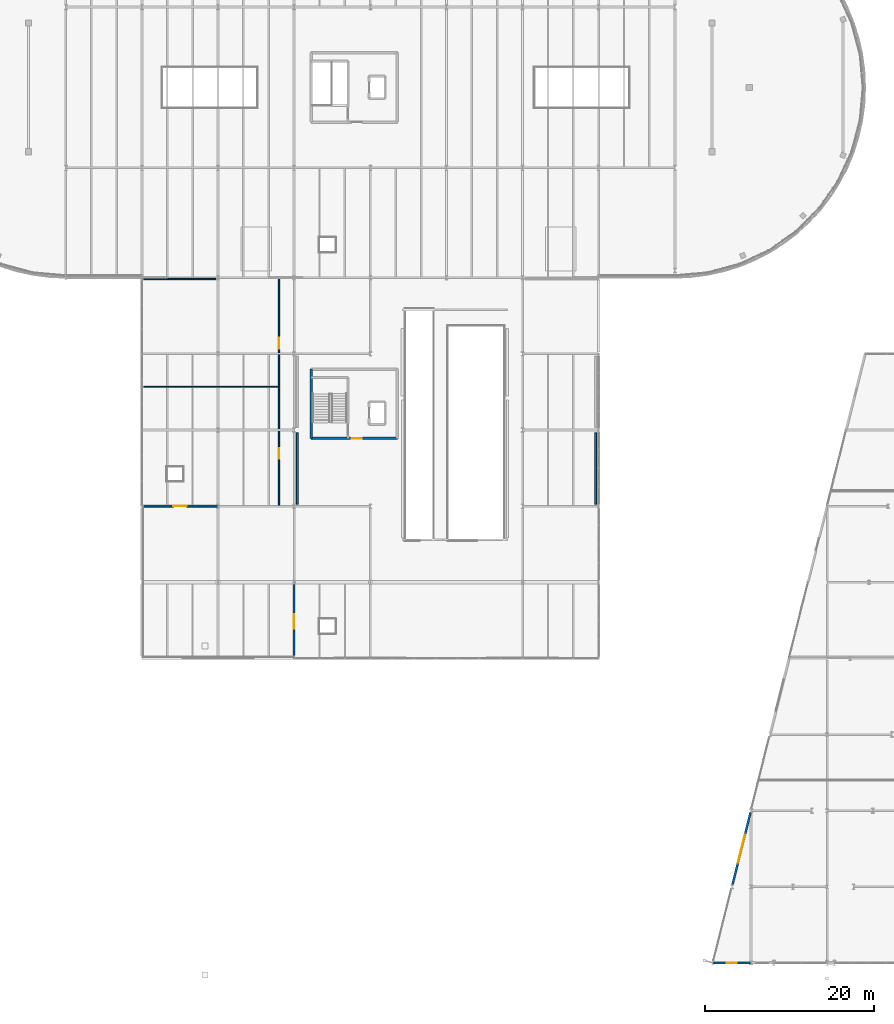
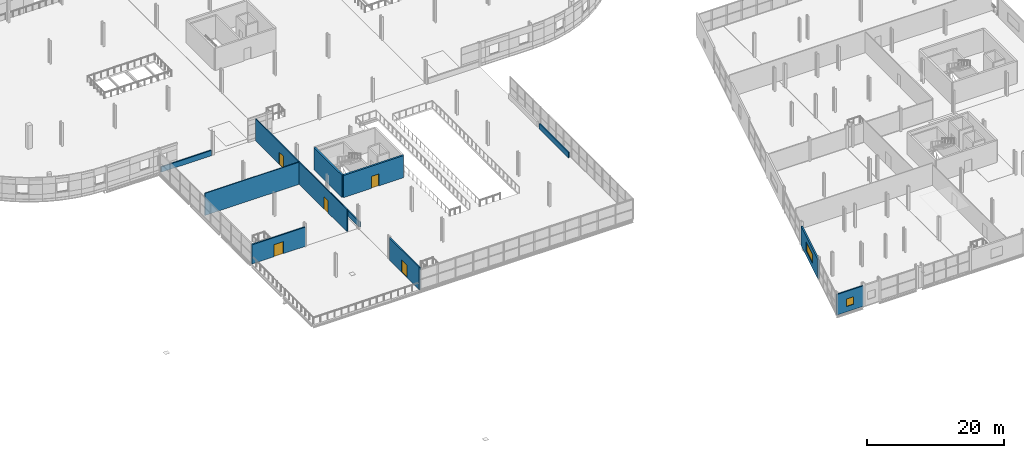
# One storey, part 71 of 88: 11 walls, 5 doors, 2 windows, 7 openings.
"""IFC4 building model written with IfcOpenShell, lengths in metres."""

from ifc_helpers import new_model, si_unit, direction, frame, frame_2d, origin, place, context, subcontext, project, spatial, rectangle, extrude, material, layer, layer_set, type_object, element, fill, save


model = new_model("IFC4")

# Units and contexts
model_context = context("Model", 3, precision=1e-05, world=origin(), true_north=direction((0.0, 1.0)))
body_context = subcontext(model_context, "Body", "Model", "MODEL_VIEW")
ifc_project = project(units=[si_unit("LENGTHUNIT", "METRE"), si_unit("AREAUNIT", "SQUARE_METRE"), si_unit("VOLUMEUNIT", "CUBIC_METRE"), si_unit("PLANEANGLEUNIT", "RADIAN"), si_unit("MASSUNIT", "GRAM", prefix="KILO")], contexts=[model_context])

# Site, building, storey
site_placement = place(None, origin())
site = spatial("IfcSite", under=ifc_project, at=site_placement, CompositionType="ELEMENT")
building_placement = place(site_placement, origin())
building = spatial("IfcBuilding", under=site, at=building_placement, Name="Deido Ridge Mobility Hub", CompositionType="ELEMENT")
storey_placement = place(building_placement, frame((0.0, 0.0, 16.800048828125)))
storey = spatial("IfcBuildingStorey", under=building, at=storey_placement, Name="L04", CompositionType="ELEMENT", Elevation=16.800048828125)

# Wall, opening, door
ifc_material_1 = material(Name="Powder-coated aluminium cladding EN AW-3003", Category="aluminium")
ifc_layer_1 = layer(ifc_material_1, 0.22509765625, Name="Powder-coated aluminium cladding EN AW-3003")
ifc_layer_set_1 = layer_set([ifc_layer_1], Name="Powder-coated aluminium cladding EN AW-3003")
wall_type_1 = type_object("IfcWallType", Name="WL-EXT-ALU-225", PredefinedType="STANDARD", material=ifc_layer_set_1)
wall_1_placement = place(storey_placement, frame((72.0, 36.0, 0.0), z_axis=(0.0, 0.0, 1.0), x_axis=(0.0, 1.0, 0.0)))
wall_1 = element("IfcWall", 1, at=wall_1_placement, inside=storey, type_object=wall_type_1, Name="Exterior wall EW6", PredefinedType="STANDARD", context=body_context, shape_type="SweptSolid", body=[
    extrude(rectangle(XDim=8.75, YDim=0.22509765625, at=frame_2d((4.375, 0.0))), origin(), (0.0, 0.0, 1.0), 3.954833984375),
])
opening_1_placement = place(wall_1_placement, frame((3.52490234375, 0.0, 0.0)))
opening_1 = element("IfcOpeningElement", 2, at=opening_1_placement, cuts=wall_1, Name="Opening TD-L04A", PredefinedType="OPENING", context=body_context, shape_type="SweptSolid", body=[
    extrude(rectangle(XDim=1.699951171875, YDim=2.199951171875, at=frame_2d((0.85009765625, 1.10009765625))), frame((0.0, 0.12255859375, 0.0), z_axis=(0.0, -1.0, 0.0), x_axis=(1.0, 0.0, 0.0)), (0.0, 0.0, 1.0), 0.2451171875),
])
ifc_material_2 = material(Name="Anodised aluminium EN AW-6063 T6", Category="aluminium")
door_type_1 = type_object("IfcDoorType", Name="DR-TER-1700X2200", OperationType="DOUBLE_DOOR_SINGLE_SWING", PredefinedType="DOOR", material=ifc_material_2)
door_1_placement = place(opening_1_placement, origin())
door_1 = element("IfcDoor", 3, at=door_1_placement, inside=storey, type_object=door_type_1, Name="DR-E0009 Outdoor sport court access door", OperationType="DOUBLE_DOOR_SINGLE_SWING", OverallHeight=2.199951171875, OverallWidth=1.699951171875, PredefinedType="DOOR", context=body_context, shape_type="SweptSolid", body=[
    extrude(rectangle(XDim=1.699951171875, YDim=2.199951171875, at=frame_2d((0.85009765625, 1.10009765625))), frame((0.0, 0.02490234375, 0.0), z_axis=(0.0, -1.0, 0.0), x_axis=(1.0, 0.0, 0.0)), (0.0, 0.0, 1.0), 0.050048828125),
])
fill(opening_1, door_1)

wall_2_placement = place(storey_placement, frame((54.0, 54.0, 0.0), z_axis=(0.0, 0.0, 1.0), x_axis=(1.0, 0.0, 0.0)))
wall_2 = element("IfcWall", 4, at=wall_2_placement, inside=storey, type_object=wall_type_1, Name="Exterior wall EW6", PredefinedType="STANDARD", context=body_context, shape_type="SweptSolid", body=[
    extrude(rectangle(XDim=8.992919921875, YDim=0.22509765625, at=frame_2d((4.49658203125, 0.0))), origin(), (0.0, 0.0, 1.0), 3.429931640625),
])
opening_2_placement = place(wall_2_placement, frame((3.6962890625, 0.0, 0.0)))
opening_2 = element("IfcOpeningElement", 5, at=opening_2_placement, cuts=wall_2, Name="Opening TD-L04B", PredefinedType="OPENING", context=body_context, shape_type="SweptSolid", body=[
    extrude(rectangle(XDim=1.60009765625, YDim=2.14990234375, at=frame_2d((0.800048828125, 1.074951171875))), frame((0.0, 0.12255859375, 0.0), z_axis=(0.0, -1.0, 0.0), x_axis=(1.0, 0.0, 0.0)), (0.0, 0.0, 1.0), 0.2451171875),
])
door_type_2 = type_object("IfcDoorType", Name="DR-TER-1600X2150", OperationType="DOUBLE_DOOR_SINGLE_SWING", PredefinedType="DOOR", material=ifc_material_2)
door_2_placement = place(opening_2_placement, frame((1.60009765625, 0.0, 0.0), z_axis=(0.0, 0.0, 1.0), x_axis=(-1.0, 0.0, 0.0)))
door_2 = element("IfcDoor", 6, at=door_2_placement, inside=storey, type_object=door_type_2, Name="DR-E0010 Changing suite court access door", OperationType="DOUBLE_DOOR_SINGLE_SWING", OverallHeight=2.14990234375, OverallWidth=1.60009765625, PredefinedType="DOOR", context=body_context, shape_type="SweptSolid", body=[
    extrude(rectangle(XDim=1.60009765625, YDim=2.14990234375, at=frame_2d((0.800048828125, 1.074951171875))), frame((0.0, 0.02490234375, 0.0), z_axis=(0.0, -1.0, 0.0), x_axis=(1.0, 0.0, 0.0)), (0.0, 0.0, 1.0), 0.050048828125),
])
fill(opening_2, door_2)

# Wall, opening, window
wall_3_placement = place(storey_placement, frame((121.507080078125, 0.0, 0.0), z_axis=(0.0, 0.0, 1.0), x_axis=(1.0, 0.0, 0.0)))
wall_3 = element("IfcWall", 7, at=wall_3_placement, inside=storey, type_object=wall_type_1, Name="Exterior wall EW6", PredefinedType="STANDARD", context=body_context, shape_type="SweptSolid", body=[
    extrude(rectangle(XDim=4.484130859375, YDim=0.22509765625, at=frame_2d((2.2421875, 0.0))), origin(), (0.0, 0.0, 1.0), 3.6650390625),
])
opening_3_placement = place(wall_3_placement, frame((1.64208984375, 0.0, 0.949951171875)))
opening_3 = element("IfcOpeningElement", 8, at=opening_3_placement, cuts=wall_3, Name="Opening W3", PredefinedType="OPENING", context=body_context, shape_type="SweptSolid", body=[
    extrude(rectangle(XDim=1.199951171875, YDim=1.35009765625, at=frame_2d((0.60009765625, 0.675048828125))), frame((0.0, 0.12255859375, 0.0), z_axis=(0.0, -1.0, 0.0), x_axis=(1.0, 0.0, 0.0)), (0.0, 0.0, 1.0), 0.2451171875),
])
ifc_material_3 = material(Name="Laminated solar-control low-E glass", Category="glass")
window_type_1 = type_object("IfcWindowType", Name="WN-ALU-1200X1350", PartitioningType="SINGLE_PANEL", PredefinedType="WINDOW", material=ifc_material_3)
window_1_placement = place(opening_3_placement, origin())
window_1 = element("IfcWindow", 9, at=window_1_placement, inside=storey, type_object=window_type_1, Name="Exterior window W3", OverallHeight=1.35009765625, OverallWidth=1.199951171875, PartitioningType="SINGLE_PANEL", PredefinedType="WINDOW", context=body_context, shape_type="SweptSolid", body=[
    extrude(rectangle(XDim=1.199951171875, YDim=1.35009765625, at=frame_2d((0.60009765625, 0.675048828125))), frame((0.0, 0.030029296875, 0.0), z_axis=(0.0, -1.0, 0.0), x_axis=(1.0, 0.0, 0.0)), (0.0, 0.0, 1.0), 0.06005859375),
])
fill(opening_3, window_1)

# Walls
ifc_material_4 = material(Name="Concrete C35/45", Category="concrete")
ifc_layer_2 = layer(ifc_material_4, 0.205078125, Name="Concrete C35/45")
ifc_layer_set_2 = layer_set([ifc_layer_2], Name="Concrete C35/45")
wall_type_2 = type_object("IfcWallType", Name="WL-PAR-RC-205", PredefinedType="PARAPET", material=ifc_layer_set_2)
for number, where, z_axis, x_axis, name in (
    (10, (72.35009765625, 54.199951171875, 0.0), (0.0, 0.0, 1.0), (0.0, 1.0, 0.0), "Roof step RC parapet curb PP2"),
    (11, (107.64990234375, 54.199951171875, 0.0), (0.0, 0.0, 1.0), (0.0, 1.0, 0.0), "Roof step RC parapet curb PP2"),
    (12, (54.199951171875, 80.85009765625, 0.0), (0.0, 0.0, 1.0), (1.0, 0.0, 0.0), "Roof step RC parapet curb PP2"),
):
    element("IfcWall", number, at=place(storey_placement, frame(where, z_axis=z_axis, x_axis=x_axis)), inside=storey, type_object=wall_type_2, Name=name, PredefinedType="PARAPET", context=body_context, shape_type="SweptSolid", body=[
        extrude(rectangle(XDim=8.5, YDim=0.205078125, at=frame_2d((4.25, 0.0))), origin(), (0.0, 0.0, 1.0), 0.949951171875),
    ])

# Wall, opening, window
ifc_material_5 = material(Name="Concrete blockwork masonry", Category="masonry")
ifc_layer_3 = layer(ifc_material_5, 0.2548828125, Name="Concrete blockwork masonry")
ifc_layer_set_3 = layer_set([ifc_layer_3], Name="Concrete blockwork masonry")
wall_type_3 = type_object("IfcWallType", Name="WL-PLG-BLK-255", PredefinedType="POLYGONAL", material=ifc_layer_set_3)
wall_4_placement = place(storey_placement, frame((123.811767578125, 9.2470703125, 0.0), z_axis=(0.0, 0.0, 1.0), x_axis=(0.242522544412, 0.970145770208, 0.0)))
wall_4 = element("IfcWall", 13, at=wall_4_placement, inside=storey, type_object=wall_type_3, Name="Exterior wall PGW2", PredefinedType="POLYGONAL", context=body_context, shape_type="SweptSolid", body=[
    extrude(rectangle(XDim=8.783203125, YDim=0.2548828125, at=frame_2d((4.3916015625, 0.0))), origin(), (0.0, 0.0, 1.0), 3.48486328125),
])
opening_4_placement = place(wall_4_placement, frame((2.691650390625, 0.0, 0.949951171875)))
opening_4 = element("IfcOpeningElement", 14, at=opening_4_placement, cuts=wall_4, Name="Opening W17", PredefinedType="OPENING", context=body_context, shape_type="SweptSolid", body=[
    extrude(rectangle(XDim=3.39990234375, YDim=1.550048828125, at=frame_2d((1.699951171875, 0.77490234375))), frame((0.0, 0.137451171875, 0.0), z_axis=(0.0, -1.0, 0.0), x_axis=(1.0, 0.0, 0.0)), (0.0, 0.0, 1.0), 0.27490234375),
])
window_type_2 = type_object("IfcWindowType", Name="WN-ALU-3400X1550", PartitioningType="DOUBLE_PANEL_VERTICAL", PredefinedType="WINDOW", material=ifc_material_3)
window_2_placement = place(opening_4_placement, origin())
window_2 = element("IfcWindow", 15, at=window_2_placement, inside=storey, type_object=window_type_2, Name="Exterior window W17", OverallHeight=1.550048828125, OverallWidth=3.39990234375, PartitioningType="SINGLE_PANEL", PredefinedType="WINDOW", context=body_context, shape_type="SweptSolid", body=[
    extrude(rectangle(XDim=3.39990234375, YDim=1.550048828125, at=frame_2d((1.699951171875, 0.77490234375))), frame((0.0, 0.030029296875, 0.0), z_axis=(0.0, -1.0, 0.0), x_axis=(1.0, 0.0, 0.0)), (0.0, 0.0, 1.0), 0.06005859375),
])
fill(opening_4, window_2)

# Wall
ifc_layer_4 = layer(ifc_material_5, 0.139892578125, Name="Concrete blockwork masonry")
ifc_layer_set_4 = layer_set([ifc_layer_4], Name="Concrete blockwork masonry")
wall_type_4 = type_object("IfcWallType", Name="WL-PRT-BLK-140", PredefinedType="PARTITIONING", material=ifc_layer_set_4)
wall_5_placement = place(storey_placement, frame((54.199951171875, 68.10009765625, 0.0), z_axis=(0.0, 0.0, 1.0), x_axis=(1.0, 0.0, 0.0)))
element("IfcWall", 16, at=wall_5_placement, inside=storey, type_object=wall_type_4, Name="Changing-store cross partition", PredefinedType="PARTITIONING", context=body_context, shape_type="SweptSolid", body=[
    extrude(rectangle(XDim=16.0, YDim=0.139892578125, at=frame_2d((8.0, 0.0))), origin(), (0.0, 0.0, 1.0), 3.954833984375),
])

# Wall, openings, doors
ifc_layer_5 = layer(ifc_material_5, 0.159912109375, Name="Concrete blockwork masonry")
ifc_layer_set_5 = layer_set([ifc_layer_5], Name="Concrete blockwork masonry")
wall_type_5 = type_object("IfcWallType", Name="WL-PRT-BLK-160", PredefinedType="PARTITIONING", material=ifc_layer_set_5)
wall_6_placement = place(storey_placement, frame((70.199951171875, 54.10009765625, 0.0), z_axis=(0.0, 0.0, 1.0), x_axis=(0.0, 1.0, 0.0)))
wall_6 = element("IfcWall", 17, at=wall_6_placement, inside=storey, type_object=wall_type_5, Name="Sports changing suite corridor wall", PredefinedType="PARTITIONING", context=body_context, shape_type="SweptSolid", body=[
    extrude(rectangle(XDim=26.699951171875, YDim=0.159912109375, at=frame_2d((13.35009765625, 0.0))), origin(), (0.0, 0.0, 1.0), 3.954833984375),
])
opening_5_placement = place(wall_6_placement, frame((5.5, 0.0, 0.0)))
opening_5 = element("IfcOpeningElement", 18, at=opening_5_placement, cuts=wall_6, Name="Opening DR-L04-217", PredefinedType="OPENING", context=body_context, shape_type="SweptSolid", body=[
    extrude(rectangle(XDim=1.219970703125, YDim=2.179931640625, at=frame_2d((0.60986328125, 1.08984375))), frame((0.0, 0.08984375, 0.0), z_axis=(0.0, -1.0, 0.0), x_axis=(1.0, 0.0, 0.0)), (0.0, 0.0, 1.0), 0.179931640625),
])
opening_6_placement = place(wall_6_placement, frame((18.5, 0.0, 0.0)))
opening_6 = element("IfcOpeningElement", 19, at=opening_6_placement, cuts=wall_6, Name="Opening DR-L04-218", PredefinedType="OPENING", context=body_context, shape_type="SweptSolid", body=[
    extrude(rectangle(XDim=1.320068359375, YDim=2.199951171875, at=frame_2d((0.66015625, 1.10009765625))), frame((0.0, 0.08984375, 0.0), z_axis=(0.0, -1.0, 0.0), x_axis=(1.0, 0.0, 0.0)), (0.0, 0.0, 1.0), 0.179931640625),
])
ifc_material_6 = material(Name="Treated tropical hardwood timber D40", Category="wood")
door_type_3 = type_object("IfcDoorType", Name="DR-INT-1220X2180", OperationType="NOTDEFINED", PredefinedType="DOOR", material=ifc_material_6)
door_3_placement = place(opening_5_placement, origin())
door_3 = element("IfcDoor", 20, at=door_3_placement, inside=storey, type_object=door_type_3, Name="DR-I0217 Sports changing suite door", OperationType="SINGLE_SWING_RIGHT", OverallHeight=2.179931640625, OverallWidth=1.219970703125, PredefinedType="DOOR", context=body_context, shape_type="SweptSolid", body=[
    extrude(rectangle(XDim=1.219970703125, YDim=2.179931640625, at=frame_2d((0.60986328125, 1.08984375))), frame((0.0, 0.02490234375, 0.0), z_axis=(0.0, -1.0, 0.0), x_axis=(1.0, 0.0, 0.0)), (0.0, 0.0, 1.0), 0.050048828125),
])
fill(opening_5, door_3)
door_type_4 = type_object("IfcDoorType", Name="DR-INT-1320X2200", OperationType="NOTDEFINED", PredefinedType="DOOR", material=ifc_material_6)
door_4_placement = place(opening_6_placement, origin())
door_4 = element("IfcDoor", 21, at=door_4_placement, inside=storey, type_object=door_type_4, Name="DR-I0218 Athletic equipment store door", OperationType="SINGLE_SWING_LEFT", OverallHeight=2.199951171875, OverallWidth=1.320068359375, PredefinedType="DOOR", context=body_context, shape_type="SweptSolid", body=[
    extrude(rectangle(XDim=1.320068359375, YDim=2.199951171875, at=frame_2d((0.66015625, 1.10009765625))), frame((0.0, 0.02490234375, 0.0), z_axis=(0.0, -1.0, 0.0), x_axis=(1.0, 0.0, 0.0)), (0.0, 0.0, 1.0), 0.050048828125),
])
fill(opening_6, door_4)

# Wall, opening, door
ifc_material_7 = material(Name="Concrete C40/50", Category="concrete")
ifc_layer_6 = layer(ifc_material_7, 0.300048828125, Name="Concrete C40/50")
ifc_layer_set_6 = layer_set([ifc_layer_6], Name="Concrete C40/50")
wall_type_6 = type_object("IfcWallType", Name="WL-SHR-RC-300", PredefinedType="SHEAR", material=ifc_layer_set_6)
wall_7_placement = place(storey_placement, frame((74.0, 62.0, 0.0), z_axis=(0.0, 0.0, 1.0), x_axis=(1.0, 0.0, 0.0)))
wall_7 = element("IfcWall", 22, at=wall_7_placement, inside=storey, type_object=wall_type_6, Name="C4 south shear wall", PredefinedType="SHEAR", context=body_context, shape_type="SweptSolid", body=[
    extrude(rectangle(XDim=10.199951171875, YDim=0.300048828125, at=frame_2d((5.10009765625, 0.0))), origin(), (0.0, 0.0, 1.0), 3.954833984375),
])
opening_7_placement = place(wall_7_placement, frame((4.800048828125, 0.0, 0.0)))
opening_7 = element("IfcOpeningElement", 23, at=opening_7_placement, cuts=wall_7, Name="Opening LD-C4-095", PredefinedType="OPENING", context=body_context, shape_type="SweptSolid", body=[
    extrude(rectangle(XDim=1.199951171875, YDim=2.14990234375, at=frame_2d((0.60009765625, 1.074951171875))), frame((0.0, 0.16015625, 0.0), z_axis=(0.0, -1.0, 0.0), x_axis=(1.0, 0.0, 0.0)), (0.0, 0.0, 1.0), 0.320068359375),
])
ifc_material_8 = material(Name="Galvanised steel work", Category="steel")
door_type_5 = type_object("IfcDoorType", Name="DR-FD60-1200X2150", OperationType="NOTDEFINED", PredefinedType="DOOR", material=ifc_material_8)
door_5_placement = place(opening_7_placement, origin())
door_5 = element("IfcDoor", 24, at=door_5_placement, inside=storey, type_object=door_type_5, Name="DR-I0095 C4 lift lobby door (L04)", OperationType="SINGLE_SWING_RIGHT", OverallHeight=2.14990234375, OverallWidth=1.199951171875, PredefinedType="DOOR", context=body_context, shape_type="SweptSolid", body=[
    extrude(rectangle(XDim=1.199951171875, YDim=2.14990234375, at=frame_2d((0.60009765625, 1.074951171875))), frame((0.0, 0.02490234375, 0.0), z_axis=(0.0, -1.0, 0.0), x_axis=(1.0, 0.0, 0.0)), (0.0, 0.0, 1.0), 0.050048828125),
])
fill(opening_7, door_5)

# Wall
wall_8_placement = place(storey_placement, frame((74.0, 70.199951171875, 0.0), z_axis=(0.0, 0.0, 1.0), x_axis=(0.0, -1.0, 0.0)))
element("IfcWall", 25, at=wall_8_placement, inside=storey, type_object=wall_type_6, Name="C4 west shear wall", PredefinedType="SHEAR", context=body_context, shape_type="SweptSolid", body=[
    extrude(rectangle(XDim=8.199951171875, YDim=0.300048828125, at=frame_2d((4.10009765625, 0.0))), origin(), (0.0, 0.0, 1.0), 3.954833984375),
])

save(model, "model.ifc")
